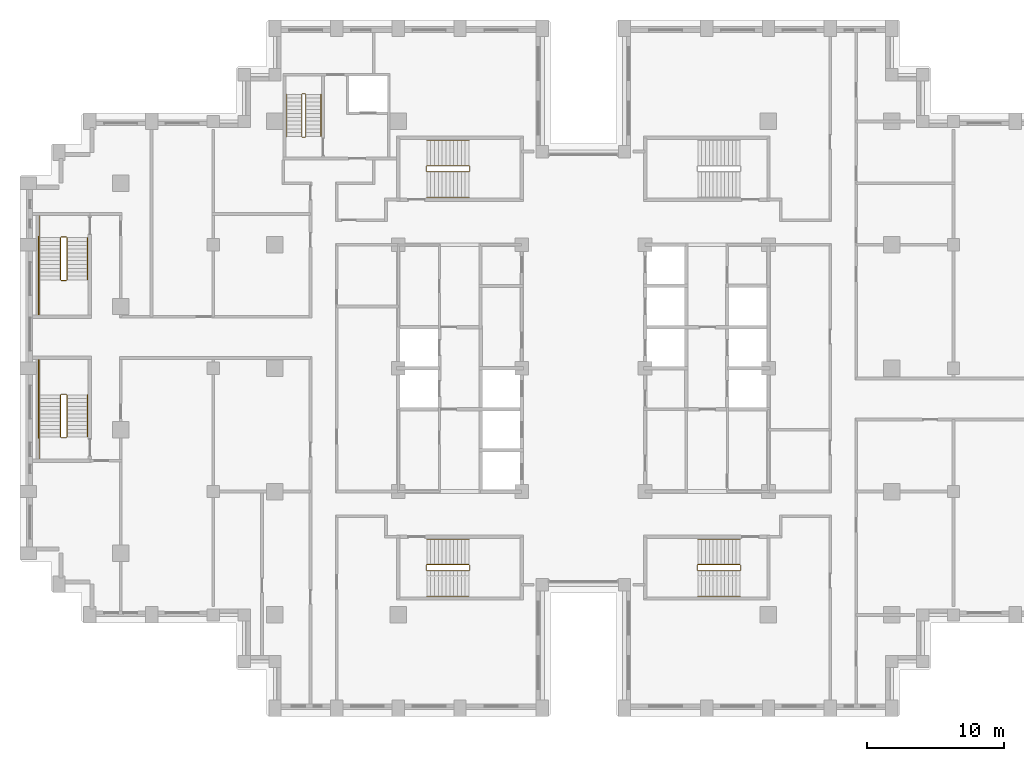
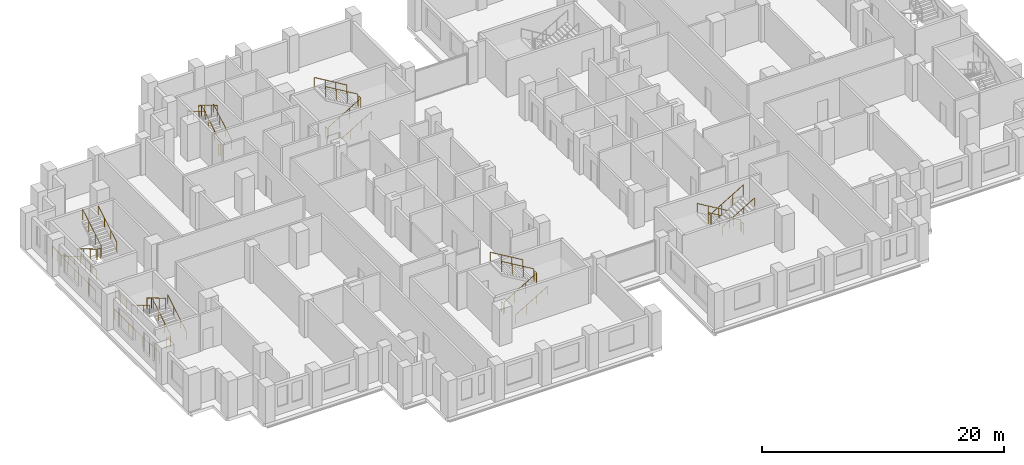
# One storey, part 14 of 15: 6 railings.
"""IFC4 building model written with IfcOpenShell, lengths in metres."""

import ifcopenshell
import ifcopenshell.guid

model = None  # the IFC model being written
_history = None  # IfcOwnerHistory: only IFC2X3 demands one
_inside = {}  # id of a spatial element -> (the spatial element, [elements in it])
_under = {}  # id of a project, library or spatial element -> (it, [spatial elements below it])
_declared = {}  # id of a project -> (the project, [libraries it declares])
_typed = {}  # id of a type object -> (the type object, [elements of that type])
_made_of = {}  # id of a material, layer set ... -> (it, [elements and type objects made of it])


def new_model(schema):
    """Start an empty IFC model of exactly this schema.

    Asked for "IFC4X3", IfcOpenShell would pick the latest addendum, in which some entities
    have other attributes; the version numbers below select the first issue.
    IFC2X3 requires an IfcOwnerHistory on every rooted entity: one is made here for all.
    """
    global model, _history
    if schema == "IFC4X3":
        model = ifcopenshell.file(schema_version=(4, 3, 0, 0))
    else:
        model = ifcopenshell.file(schema=schema)
    _inside.clear()
    _under.clear()
    _declared.clear()
    _typed.clear()
    _made_of.clear()
    _history = None
    if model.schema == "IFC2X3":
        org = make("IfcOrganization", Name="unknown")
        user = make(
            "IfcPersonAndOrganization",
            ThePerson=make("IfcPerson", FamilyName="unknown"),
            TheOrganization=org,
        )
        app = make(
            "IfcApplication",
            ApplicationDeveloper=org,
            Version="unknown",
            ApplicationFullName="unknown",
            ApplicationIdentifier="unknown",
        )
        _history = make(
            "IfcOwnerHistory",
            OwningUser=user,
            OwningApplication=app,
            ChangeAction="ADDED",
            CreationDate=0,
        )
    return model


def make(cls, **values):
    """One entity of the class cls with the attributes given. An attribute that is None is left unset."""
    return model.create_entity(
        cls, **{name: value for name, value in values.items() if value is not None}
    )


def rooted(cls, **values):
    """An entity with a GlobalId (a new one), such as an element, a storey or a relation."""
    return make(cls, GlobalId=ifcopenshell.guid.new(), OwnerHistory=_history, **values)


def si_unit(unit_type, name, prefix=None):
    """IfcSIUnit, for example si_unit("LENGTHUNIT", "METRE", prefix="MILLI")."""
    return make("IfcSIUnit", UnitType=unit_type, Prefix=prefix, Name=name)


def assignment(units):
    """IfcUnitAssignment: the units of a project."""
    return None if units is None else make("IfcUnitAssignment", Units=units)


def point(xyz):
    """IfcCartesianPoint."""
    return None if xyz is None else make("IfcCartesianPoint", Coordinates=xyz)


def direction(xyz):
    """IfcDirection."""
    return None if xyz is None else make("IfcDirection", DirectionRatios=xyz)


def frame(location, z_axis=None, x_axis=None):
    """IfcAxis2Placement3D, a coordinate frame: its origin and axes. An axis left out is left unset."""
    return make(
        "IfcAxis2Placement3D",
        Location=point(location),
        Axis=direction(z_axis),
        RefDirection=direction(x_axis),
    )


def frame_2d(location, x_axis=None):
    """IfcAxis2Placement2D, a coordinate frame in the plane: its origin and x axis."""
    return make(
        "IfcAxis2Placement2D", Location=point(location), RefDirection=direction(x_axis)
    )


def origin():
    """The frame at (0, 0, 0) with its axes left unset."""
    return frame((0.0, 0.0, 0.0))


def origin_2d():
    """The frame at (0, 0) in the plane with its x axis left unset."""
    return frame_2d((0.0, 0.0))


def place(relative_to, where):
    """IfcLocalPlacement: puts the frame where relative to a parent placement (None: the world)."""
    return make(
        "IfcLocalPlacement", PlacementRelTo=relative_to, RelativePlacement=where
    )


def context(
    kind, dimensions, precision=None, world=None, true_north=None, identifier=None
):
    """IfcGeometricRepresentationContext, for example the 3D "Model" context."""
    return make(
        "IfcGeometricRepresentationContext",
        ContextIdentifier=identifier,
        ContextType=kind,
        CoordinateSpaceDimension=dimensions,
        Precision=precision,
        WorldCoordinateSystem=world,
        TrueNorth=true_north,
    )


def subcontext(parent, identifier, kind, view, scale=None):
    """IfcGeometricRepresentationSubContext, for example "Body" below "Model"."""
    return make(
        "IfcGeometricRepresentationSubContext",
        ContextIdentifier=identifier,
        ContextType=kind,
        ParentContext=parent,
        TargetScale=scale,
        TargetView=view,
    )


def project(units=None, contexts=None):
    """IfcProject with its units and contexts."""
    return rooted(
        "IfcProject",
        Name="project",
        RepresentationContexts=contexts,
        UnitsInContext=assignment(units),
    )


def spatial(cls, under=None, at=None, **own):
    """A site, building, storey or space (cls), placed at a placement, below another one or the project."""
    s = rooted(cls, ObjectPlacement=at, **own)
    if under is not None:
        _under.setdefault(under.id(), (under, []))[1].append(s)
    return s


def profile(cls, at=None, kind="AREA", **sizes):
    """A parametric profile (cls). Its sizes go by their IFC names, for example OverallWidth=200.0."""
    return make(cls, ProfileType=kind, Position=at, **sizes)


def circle(**sizes):
    """IfcCircleProfileDef."""
    return profile("IfcCircleProfileDef", **sizes)


def extrude(swept, where, along, depth):
    """IfcExtrudedAreaSolid: the profile swept, set in the frame where, extruded along a direction by depth."""
    return make(
        "IfcExtrudedAreaSolid",
        SweptArea=swept,
        Position=where,
        ExtrudedDirection=direction(along),
        Depth=depth,
    )


def shape(context_of_items, identifier, shape_type, items):
    """IfcShapeRepresentation: the items that make up one representation, for example the "Body"."""
    return make(
        "IfcShapeRepresentation",
        ContextOfItems=context_of_items,
        RepresentationIdentifier=identifier,
        RepresentationType=shape_type,
        Items=items,
    )


def material(Name=None, Category=None):
    """IfcMaterial."""
    return make("IfcMaterial", Name=Name, Category=Category)


def made_of(thing, what):
    """Note that an element or type object is made of a material, layer set ...; save() writes the relation."""
    if what is not None:
        _made_of.setdefault(what.id(), (what, []))[1].append(thing)
    return thing


def type_object(cls, material=None, **own):
    """A type object (cls), such as IfcWallType, which elements share."""
    return made_of(rooted(cls, **own), material)


def element(
    cls,
    number,
    at=None,
    inside=None,
    cuts=None,
    type_object=None,
    material=None,
    context=None,
    identifier="Body",
    shape_type=None,
    held_by="IfcProductDefinitionShape",
    body=None,
    shapes=None,
    **own,
):
    """One element of the class cls, such as IfcWall. Its Tag is "e" and its number.

    at: its placement. inside: the storey or other place that contains it. cuts: it is an
    opening in that element (IfcRelVoidsElement). A single representation is given by context,
    identifier, shape_type and body (its items); several are given by shapes. held_by: the class
    of the entity that holds the representations. save() writes the other relations.
    """
    e = rooted(cls, Tag="e%d" % number, ObjectPlacement=at, **own)
    if body is not None:
        shapes = [shape(context, identifier, shape_type, body)]
    if shapes is not None:
        e.Representation = make(held_by, Representations=shapes)
    if inside is not None:
        _inside.setdefault(inside.id(), (inside, []))[1].append(e)
    if cuts is not None:
        rooted(
            "IfcRelVoidsElement", RelatingBuildingElement=cuts, RelatedOpeningElement=e
        )
    if type_object is not None:
        _typed.setdefault(type_object.id(), (type_object, []))[1].append(e)
    return made_of(e, material)


def aggregate(whole, parts):
    """IfcRelAggregates: a whole, such as a stair, and the parts it consists of."""
    return rooted("IfcRelAggregates", RelatingObject=whole, RelatedObjects=parts)


def save(model, path):
    """Write the relations noted so far, then the file.

    IfcRelAggregates (storeys below a building ...), IfcRelContainedInSpatialStructure (elements
    in a storey), IfcRelDefinesByType, IfcRelAssociatesMaterial and IfcRelDeclares: one each for
    every whole, place, type object, material and project.
    """
    for whole, parts in _under.values():
        aggregate(whole, parts)
    for where, things in _inside.values():
        rooted(
            "IfcRelContainedInSpatialStructure",
            RelatedElements=things,
            RelatingStructure=where,
        )
    for kind, things in _typed.values():
        rooted("IfcRelDefinesByType", RelatedObjects=things, RelatingType=kind)
    for what, things in _made_of.values():
        rooted("IfcRelAssociatesMaterial", RelatedObjects=things, RelatingMaterial=what)
    for by, libraries in _declared.values():
        rooted("IfcRelDeclares", RelatingContext=by, RelatedDefinitions=libraries)
    model.write(path)


model = new_model("IFC4")

# Units and contexts
model_context = context("Model", 3, precision=1e-05, world=origin(), true_north=direction((0.0, 1.0)))
body_context = subcontext(model_context, "Body", "Model", "MODEL_VIEW")
ifc_project = project(units=[si_unit("LENGTHUNIT", "METRE"), si_unit("AREAUNIT", "SQUARE_METRE"), si_unit("VOLUMEUNIT", "CUBIC_METRE"), si_unit("PLANEANGLEUNIT", "RADIAN"), si_unit("MASSUNIT", "GRAM", prefix="KILO")], contexts=[model_context])

# Site, building, storey
site_placement = place(None, origin())
site = spatial("IfcSite", under=ifc_project, at=site_placement, CompositionType="ELEMENT")
building_placement = place(site_placement, origin())
building = spatial("IfcBuilding", under=site, at=building_placement, Name="Corbelhall Arena Tower", CompositionType="ELEMENT")
storey_placement = place(building_placement, frame((0.0, 0.0, 100.0)))
storey = spatial("IfcBuildingStorey", under=building, at=storey_placement, Name="L17", CompositionType="ELEMENT", Elevation=100.0)

# Railings
ifc_material = material(Name="Steel ASTM A500 Gr C", Category="steel")
railing_type = type_object("IfcRailingType", Name="IN-GD-1100", PredefinedType="GUARDRAIL", material=ifc_material)
railing_1_placement = place(storey_placement, frame((-11.425048828125, 14.324951171875, 0.166748046875)))
element("IfcRailing", 1, at=railing_1_placement, inside=storey, type_object=railing_type, Name="L17 ST1 stair guards and handrails", PredefinedType="GUARDRAIL", context=body_context, shape_type="SweptSolid", body=[
    extrude(circle(Radius=0.02392578125, at=origin_2d()), frame((0.0, 0.0, 1.076171875), z_axis=(0.859308565015, 0.0, 0.511457515432), x_axis=(0.0, 1.0, 0.0)), (0.0, 0.0, 1.0), 3.58447265625),
    extrude(circle(Radius=0.02392578125, at=origin_2d()), frame((3.130126953125, 0.050048828125, 2.9091796875), z_axis=(0.0, 1.0, 0.0), x_axis=(-1.0, 0.0, 0.0)), (0.0, 0.0, 1.0), 0.35009765625),
    extrude(circle(Radius=0.02392578125, at=origin_2d()), frame((3.080078125, 0.449951171875, 3.076171875), z_axis=(-0.859308565015, 0.0, 0.511457515432), x_axis=(0.0, -1.0, 0.0)), (0.0, 0.0, 1.0), 3.58447265625),
    extrude(circle(Radius=0.02392578125, at=origin_2d()), frame((-0.050048828125, 0.050048828125, 0.9091796875), z_axis=(0.0, 1.0, 0.0), x_axis=(-1.0, 0.0, 0.0)), (0.0, 0.0, 1.0), 0.35009765625),
    extrude(circle(Radius=0.02392578125, at=origin_2d()), frame((0.0, -1.849853515625, 0.8759765625), z_axis=(0.859308565015, 0.0, 0.511457515432), x_axis=(0.0, 1.0, 0.0)), (0.0, 0.0, 1.0), 3.58447265625),
    extrude(circle(Radius=0.02392578125, at=origin_2d()), frame((3.080078125, 2.300048828125, 2.8759765625), z_axis=(-0.859308565015, 0.0, 0.511457515432), x_axis=(0.0, -1.0, 0.0)), (0.0, 0.0, 1.0), 3.58447265625),
    extrude(circle(Radius=0.02099609375, at=origin_2d()), origin(), (0.0, 0.0, 1.0), 1.052001953125),
    extrude(circle(Radius=0.02099609375, at=origin_2d()), frame((1.026611328125, 0.0, 0.611083984375)), (0.0, 0.0, 1.0), 1.052001953125),
    extrude(circle(Radius=0.02099609375, at=origin_2d()), frame((2.053466796875, 0.0, 1.22216796875)), (0.0, 0.0, 1.0), 1.052001953125),
    extrude(circle(Radius=0.02099609375, at=origin_2d()), frame((3.080078125, 0.0, 1.833251953125)), (0.0, 0.0, 1.0), 1.052001953125),
    extrude(circle(Radius=0.02099609375, at=origin_2d()), frame((3.130126953125, 0.050048828125, 1.833251953125)), (0.0, 0.0, 1.0), 1.052001953125),
    extrude(circle(Radius=0.02099609375, at=origin_2d()), frame((3.130126953125, 0.400146484375, 1.833251953125)), (0.0, 0.0, 1.0), 1.052001953125),
    extrude(circle(Radius=0.02099609375, at=origin_2d()), frame((3.080078125, 0.449951171875, 2.0)), (0.0, 0.0, 1.0), 1.052001953125),
    extrude(circle(Radius=0.02099609375, at=origin_2d()), frame((2.053466796875, 0.449951171875, 2.611083984375)), (0.0, 0.0, 1.0), 1.052001953125),
    extrude(circle(Radius=0.02099609375, at=origin_2d()), frame((1.026611328125, 0.449951171875, 3.22216796875)), (0.0, 0.0, 1.0), 1.052001953125),
    extrude(circle(Radius=0.02099609375, at=origin_2d()), frame((0.0, 0.449951171875, 3.833251953125)), (0.0, 0.0, 1.0), 1.052001953125),
    extrude(circle(Radius=0.02099609375, at=origin_2d()), frame((-0.050048828125, 0.050048828125, -0.166748046875)), (0.0, 0.0, 1.0), 1.052001953125),
    extrude(circle(Radius=0.02099609375, at=origin_2d()), frame((-0.050048828125, 0.400146484375, -0.166748046875)), (0.0, 0.0, 1.0), 1.052001953125),
    extrude(circle(Radius=0.02099609375, at=origin_2d()), frame((0.0, -1.849853515625, 0.0)), (0.0, 0.0, 1.0), 0.851806640625),
    extrude(circle(Radius=0.02099609375, at=origin_2d()), frame((1.026611328125, -1.849853515625, 0.611083984375)), (0.0, 0.0, 1.0), 0.851806640625),
    extrude(circle(Radius=0.02099609375, at=origin_2d()), frame((2.053466796875, -1.849853515625, 1.22216796875)), (0.0, 0.0, 1.0), 0.851806640625),
    extrude(circle(Radius=0.02099609375, at=origin_2d()), frame((3.080078125, -1.849853515625, 1.833251953125)), (0.0, 0.0, 1.0), 0.851806640625),
    extrude(circle(Radius=0.02099609375, at=origin_2d()), frame((3.080078125, 2.300048828125, 2.0)), (0.0, 0.0, 1.0), 0.851806640625),
    extrude(circle(Radius=0.02099609375, at=origin_2d()), frame((2.053466796875, 2.300048828125, 2.611083984375)), (0.0, 0.0, 1.0), 0.851806640625),
    extrude(circle(Radius=0.02099609375, at=origin_2d()), frame((1.026611328125, 2.300048828125, 3.22216796875)), (0.0, 0.0, 1.0), 0.851806640625),
    extrude(circle(Radius=0.02099609375, at=origin_2d()), frame((0.0, 2.300048828125, 3.833251953125)), (0.0, 0.0, 1.0), 0.851806640625),
])
railing_2_placement = place(storey_placement, frame((-11.425048828125, -14.77490234375, 0.166748046875)))
element("IfcRailing", 2, at=railing_2_placement, inside=storey, type_object=railing_type, Name="L17 ST2 stair guards and handrails", PredefinedType="GUARDRAIL", context=body_context, shape_type="SweptSolid", body=[
    extrude(circle(Radius=0.02392578125, at=origin_2d()), frame((0.0, 0.0, 1.076171875), z_axis=(0.859308565015, 0.0, 0.511457515432), x_axis=(0.0, 1.0, 0.0)), (0.0, 0.0, 1.0), 3.58447265625),
    extrude(circle(Radius=0.02392578125, at=origin_2d()), frame((3.130126953125, 0.0498046875, 2.9091796875), z_axis=(0.0, 1.0, 0.0), x_axis=(-1.0, 0.0, 0.0)), (0.0, 0.0, 1.0), 0.35009765625),
    extrude(circle(Radius=0.02392578125, at=origin_2d()), frame((3.080078125, 0.449951171875, 3.076171875), z_axis=(-0.859308565015, 0.0, 0.511457515432), x_axis=(0.0, -1.0, 0.0)), (0.0, 0.0, 1.0), 3.58447265625),
    extrude(circle(Radius=0.02392578125, at=origin_2d()), frame((-0.050048828125, 0.0498046875, 0.9091796875), z_axis=(0.0, 1.0, 0.0), x_axis=(-1.0, 0.0, 0.0)), (0.0, 0.0, 1.0), 0.35009765625),
    extrude(circle(Radius=0.02392578125, at=origin_2d()), frame((0.0, -1.85009765625, 0.8759765625), z_axis=(0.859308565015, 0.0, 0.511457515432), x_axis=(0.0, 1.0, 0.0)), (0.0, 0.0, 1.0), 3.58447265625),
    extrude(circle(Radius=0.02392578125, at=origin_2d()), frame((3.080078125, 2.2998046875, 2.8759765625), z_axis=(-0.859308565015, 0.0, 0.511457515432), x_axis=(0.0, -1.0, 0.0)), (0.0, 0.0, 1.0), 3.58447265625),
    extrude(circle(Radius=0.02099609375, at=origin_2d()), origin(), (0.0, 0.0, 1.0), 1.052001953125),
    extrude(circle(Radius=0.02099609375, at=origin_2d()), frame((1.026611328125, 0.0, 0.611083984375)), (0.0, 0.0, 1.0), 1.052001953125),
    extrude(circle(Radius=0.02099609375, at=origin_2d()), frame((2.053466796875, 0.0, 1.22216796875)), (0.0, 0.0, 1.0), 1.052001953125),
    extrude(circle(Radius=0.02099609375, at=origin_2d()), frame((3.080078125, 0.0, 1.833251953125)), (0.0, 0.0, 1.0), 1.052001953125),
    extrude(circle(Radius=0.02099609375, at=origin_2d()), frame((3.130126953125, 0.0498046875, 1.833251953125)), (0.0, 0.0, 1.0), 1.052001953125),
    extrude(circle(Radius=0.02099609375, at=origin_2d()), frame((3.130126953125, 0.39990234375, 1.833251953125)), (0.0, 0.0, 1.0), 1.052001953125),
    extrude(circle(Radius=0.02099609375, at=origin_2d()), frame((3.080078125, 0.449951171875, 2.0)), (0.0, 0.0, 1.0), 1.052001953125),
    extrude(circle(Radius=0.02099609375, at=origin_2d()), frame((2.053466796875, 0.449951171875, 2.611083984375)), (0.0, 0.0, 1.0), 1.052001953125),
    extrude(circle(Radius=0.02099609375, at=origin_2d()), frame((1.026611328125, 0.449951171875, 3.22216796875)), (0.0, 0.0, 1.0), 1.052001953125),
    extrude(circle(Radius=0.02099609375, at=origin_2d()), frame((0.0, 0.449951171875, 3.833251953125)), (0.0, 0.0, 1.0), 1.052001953125),
    extrude(circle(Radius=0.02099609375, at=origin_2d()), frame((-0.050048828125, 0.0498046875, -0.166748046875)), (0.0, 0.0, 1.0), 1.052001953125),
    extrude(circle(Radius=0.02099609375, at=origin_2d()), frame((-0.050048828125, 0.39990234375, -0.166748046875)), (0.0, 0.0, 1.0), 1.052001953125),
    extrude(circle(Radius=0.02099609375, at=origin_2d()), frame((0.0, -1.85009765625, 0.0)), (0.0, 0.0, 1.0), 0.851806640625),
    extrude(circle(Radius=0.02099609375, at=origin_2d()), frame((1.026611328125, -1.85009765625, 0.611083984375)), (0.0, 0.0, 1.0), 0.851806640625),
    extrude(circle(Radius=0.02099609375, at=origin_2d()), frame((2.053466796875, -1.85009765625, 1.22216796875)), (0.0, 0.0, 1.0), 0.851806640625),
    extrude(circle(Radius=0.02099609375, at=origin_2d()), frame((3.080078125, -1.85009765625, 1.833251953125)), (0.0, 0.0, 1.0), 0.851806640625),
    extrude(circle(Radius=0.02099609375, at=origin_2d()), frame((3.080078125, 2.2998046875, 2.0)), (0.0, 0.0, 1.0), 0.851806640625),
    extrude(circle(Radius=0.02099609375, at=origin_2d()), frame((2.053466796875, 2.2998046875, 2.611083984375)), (0.0, 0.0, 1.0), 0.851806640625),
    extrude(circle(Radius=0.02099609375, at=origin_2d()), frame((1.026611328125, 2.2998046875, 3.22216796875)), (0.0, 0.0, 1.0), 0.851806640625),
    extrude(circle(Radius=0.02099609375, at=origin_2d()), frame((0.0, 2.2998046875, 3.833251953125)), (0.0, 0.0, 1.0), 0.851806640625),
])
railing_3_placement = place(storey_placement, frame((11.425048828125, -14.324951171875, 0.166748046875)))
element("IfcRailing", 3, at=railing_3_placement, inside=storey, type_object=railing_type, Name="L17 ST4 stair guards and handrails", PredefinedType="GUARDRAIL", context=body_context, shape_type="SweptSolid", body=[
    extrude(circle(Radius=0.02392578125, at=origin_2d()), frame((0.0, 0.0, 1.076171875), z_axis=(-0.859308565015, 0.0, 0.511457515432), x_axis=(0.0, -1.0, 0.0)), (0.0, 0.0, 1.0), 3.58447265625),
    extrude(circle(Radius=0.02392578125, at=origin_2d()), frame((-3.130126953125, -0.050048828125, 2.9091796875), z_axis=(0.0, -1.0, 0.0), x_axis=(1.0, 0.0, 0.0)), (0.0, 0.0, 1.0), 0.35009765625),
    extrude(circle(Radius=0.02392578125, at=origin_2d()), frame((-3.080078125, -0.449951171875, 3.076171875), z_axis=(0.859308565015, 0.0, 0.511457515432), x_axis=(0.0, 1.0, 0.0)), (0.0, 0.0, 1.0), 3.58447265625),
    extrude(circle(Radius=0.02392578125, at=origin_2d()), frame((0.050048828125, -0.050048828125, 0.9091796875), z_axis=(0.0, -1.0, 0.0), x_axis=(1.0, 0.0, 0.0)), (0.0, 0.0, 1.0), 0.35009765625),
    extrude(circle(Radius=0.02392578125, at=origin_2d()), frame((0.0, 1.849853515625, 0.8759765625), z_axis=(-0.859308565015, 0.0, 0.511457515432), x_axis=(0.0, -1.0, 0.0)), (0.0, 0.0, 1.0), 3.58447265625),
    extrude(circle(Radius=0.02392578125, at=origin_2d()), frame((-3.080078125, -2.300048828125, 2.8759765625), z_axis=(0.859308565015, 0.0, 0.511457515432), x_axis=(0.0, 1.0, 0.0)), (0.0, 0.0, 1.0), 3.58447265625),
    extrude(circle(Radius=0.02099609375, at=origin_2d()), origin(), (0.0, 0.0, 1.0), 1.052001953125),
    extrude(circle(Radius=0.02099609375, at=origin_2d()), frame((-1.026611328125, 0.0, 0.611083984375)), (0.0, 0.0, 1.0), 1.052001953125),
    extrude(circle(Radius=0.02099609375, at=origin_2d()), frame((-2.053466796875, 0.0, 1.22216796875)), (0.0, 0.0, 1.0), 1.052001953125),
    extrude(circle(Radius=0.02099609375, at=origin_2d()), frame((-3.080078125, 0.0, 1.833251953125)), (0.0, 0.0, 1.0), 1.052001953125),
    extrude(circle(Radius=0.02099609375, at=origin_2d()), frame((-3.130126953125, -0.050048828125, 1.833251953125)), (0.0, 0.0, 1.0), 1.052001953125),
    extrude(circle(Radius=0.02099609375, at=origin_2d()), frame((-3.130126953125, -0.400146484375, 1.833251953125)), (0.0, 0.0, 1.0), 1.052001953125),
    extrude(circle(Radius=0.02099609375, at=origin_2d()), frame((-3.080078125, -0.449951171875, 2.0)), (0.0, 0.0, 1.0), 1.052001953125),
    extrude(circle(Radius=0.02099609375, at=origin_2d()), frame((-2.053466796875, -0.449951171875, 2.611083984375)), (0.0, 0.0, 1.0), 1.052001953125),
    extrude(circle(Radius=0.02099609375, at=origin_2d()), frame((-1.026611328125, -0.449951171875, 3.22216796875)), (0.0, 0.0, 1.0), 1.052001953125),
    extrude(circle(Radius=0.02099609375, at=origin_2d()), frame((0.0, -0.449951171875, 3.833251953125)), (0.0, 0.0, 1.0), 1.052001953125),
    extrude(circle(Radius=0.02099609375, at=origin_2d()), frame((0.050048828125, -0.050048828125, -0.166748046875)), (0.0, 0.0, 1.0), 1.052001953125),
    extrude(circle(Radius=0.02099609375, at=origin_2d()), frame((0.050048828125, -0.400146484375, -0.166748046875)), (0.0, 0.0, 1.0), 1.052001953125),
    extrude(circle(Radius=0.02099609375, at=origin_2d()), frame((0.0, 1.849853515625, 0.0)), (0.0, 0.0, 1.0), 0.851806640625),
    extrude(circle(Radius=0.02099609375, at=origin_2d()), frame((-1.026611328125, 1.849853515625, 0.611083984375)), (0.0, 0.0, 1.0), 0.851806640625),
    extrude(circle(Radius=0.02099609375, at=origin_2d()), frame((-2.053466796875, 1.849853515625, 1.22216796875)), (0.0, 0.0, 1.0), 0.851806640625),
    extrude(circle(Radius=0.02099609375, at=origin_2d()), frame((-3.080078125, 1.849853515625, 1.833251953125)), (0.0, 0.0, 1.0), 0.851806640625),
    extrude(circle(Radius=0.02099609375, at=origin_2d()), frame((-3.080078125, -2.300048828125, 2.0)), (0.0, 0.0, 1.0), 0.851806640625),
    extrude(circle(Radius=0.02099609375, at=origin_2d()), frame((-2.053466796875, -2.300048828125, 2.611083984375)), (0.0, 0.0, 1.0), 0.851806640625),
    extrude(circle(Radius=0.02099609375, at=origin_2d()), frame((-1.026611328125, -2.300048828125, 3.22216796875)), (0.0, 0.0, 1.0), 0.851806640625),
    extrude(circle(Radius=0.02099609375, at=origin_2d()), frame((0.0, -2.300048828125, 3.833251953125)), (0.0, 0.0, 1.0), 0.851806640625),
])
railing_4_placement = place(storey_placement, frame((-38.14990234375, 9.52490234375, 0.166748046875)))
element("IfcRailing", 4, at=railing_4_placement, inside=storey, type_object=railing_type, Name="L17 SC1 stair guards and handrails", PredefinedType="GUARDRAIL", context=body_context, shape_type="SweptSolid", body=[
    extrude(circle(Radius=0.02392578125, at=origin_2d()), frame((0.0, 0.0, 1.076171875), z_axis=(0.0, -0.859290745958, 0.51148745235), x_axis=(1.0, 0.0, 0.0)), (0.0, 0.0, 1.0), 3.584228515625),
    extrude(circle(Radius=0.02392578125, at=origin_2d()), frame((0.0498046875, -3.1298828125, 2.9091796875), z_axis=(1.0, 0.0, 0.0), x_axis=(0.0, 1.0, 0.0)), (0.0, 0.0, 1.0), 0.375),
    extrude(circle(Radius=0.02392578125, at=origin_2d()), frame((-1.5, -3.079833984375, 2.9091796875), z_axis=(0.0, -1.0, 0.0), x_axis=(1.0, 0.0, 0.0)), (0.0, 0.0, 1.0), 2.570068359375),
    extrude(circle(Radius=0.02392578125, at=origin_2d()), frame((0.474853515625, -3.079833984375, 3.076171875), z_axis=(0.0, 0.859290745958, 0.51148745235), x_axis=(-1.0, 0.0, 0.0)), (0.0, 0.0, 1.0), 3.584228515625),
    extrude(circle(Radius=0.02392578125, at=origin_2d()), frame((0.0498046875, 0.050048828125, 0.9091796875), z_axis=(1.0, 0.0, 0.0), x_axis=(0.0, 1.0, 0.0)), (0.0, 0.0, 1.0), 0.375),
    extrude(circle(Radius=0.02392578125, at=origin_2d()), frame((-1.5, 1.60009765625, 0.9091796875), z_axis=(0.0, -1.0, 0.0), x_axis=(1.0, 0.0, 0.0)), (0.0, 0.0, 1.0), 1.60009765625),
    extrude(circle(Radius=0.02392578125, at=origin_2d()), frame((-1.60009765625, 0.10009765625, 0.9091796875), z_axis=(0.0, -1.0, 0.0), x_axis=(1.0, 0.0, 0.0)), (0.0, 0.0, 1.0), 5.85009765625),
    extrude(circle(Radius=0.02392578125, at=origin_2d()), frame((-1.5, 0.0, 0.8759765625), z_axis=(0.0, -0.859290745958, 0.51148745235), x_axis=(1.0, 0.0, 0.0)), (0.0, 0.0, 1.0), 3.584228515625),
    extrude(circle(Radius=0.02392578125, at=origin_2d()), frame((1.974853515625, -3.079833984375, 2.8759765625), z_axis=(0.0, 0.859290745958, 0.51148745235), x_axis=(-1.0, 0.0, 0.0)), (0.0, 0.0, 1.0), 3.584228515625),
    extrude(circle(Radius=0.02099609375, at=origin_2d()), origin(), (0.0, 0.0, 1.0), 1.052001953125),
    extrude(circle(Radius=0.02099609375, at=origin_2d()), frame((0.0, -1.026611328125, 0.611083984375)), (0.0, 0.0, 1.0), 1.052001953125),
    extrude(circle(Radius=0.02099609375, at=origin_2d()), frame((0.0, -2.05322265625, 1.22216796875)), (0.0, 0.0, 1.0), 1.052001953125),
    extrude(circle(Radius=0.02099609375, at=origin_2d()), frame((0.0, -3.079833984375, 1.833251953125)), (0.0, 0.0, 1.0), 1.052001953125),
    extrude(circle(Radius=0.02099609375, at=origin_2d()), frame((0.0498046875, -3.1298828125, 1.833251953125)), (0.0, 0.0, 1.0), 1.052001953125),
    extrude(circle(Radius=0.02099609375, at=origin_2d()), frame((0.4248046875, -3.1298828125, 1.833251953125)), (0.0, 0.0, 1.0), 1.052001953125),
    extrude(circle(Radius=0.02099609375, at=origin_2d()), frame((-1.5, -3.079833984375, 1.833251953125)), (0.0, 0.0, 1.0), 1.052001953125),
    extrude(circle(Radius=0.02099609375, at=origin_2d()), frame((-1.5, -3.9365234375, 1.833251953125)), (0.0, 0.0, 1.0), 1.052001953125),
    extrude(circle(Radius=0.02099609375, at=origin_2d()), frame((-1.5, -4.793212890625, 1.833251953125)), (0.0, 0.0, 1.0), 1.052001953125),
    extrude(circle(Radius=0.02099609375, at=origin_2d()), frame((-1.5, -5.64990234375, 1.833251953125)), (0.0, 0.0, 1.0), 1.052001953125),
    extrude(circle(Radius=0.02099609375, at=origin_2d()), frame((0.474853515625, -3.079833984375, 2.0)), (0.0, 0.0, 1.0), 1.052001953125),
    extrude(circle(Radius=0.02099609375, at=origin_2d()), frame((0.474853515625, -2.05322265625, 2.611083984375)), (0.0, 0.0, 1.0), 1.052001953125),
    extrude(circle(Radius=0.02099609375, at=origin_2d()), frame((0.474853515625, -1.026611328125, 3.22216796875)), (0.0, 0.0, 1.0), 1.052001953125),
    extrude(circle(Radius=0.02099609375, at=origin_2d()), frame((0.474853515625, 0.0, 3.833251953125)), (0.0, 0.0, 1.0), 1.052001953125),
    extrude(circle(Radius=0.02099609375, at=origin_2d()), frame((0.0498046875, 0.050048828125, -0.166748046875)), (0.0, 0.0, 1.0), 1.052001953125),
    extrude(circle(Radius=0.02099609375, at=origin_2d()), frame((0.4248046875, 0.050048828125, -0.166748046875)), (0.0, 0.0, 1.0), 1.052001953125),
    extrude(circle(Radius=0.02099609375, at=origin_2d()), frame((-1.5, 1.60009765625, -0.166748046875)), (0.0, 0.0, 1.0), 1.052001953125),
    extrude(circle(Radius=0.02099609375, at=origin_2d()), frame((-1.5, 0.800048828125, -0.166748046875)), (0.0, 0.0, 1.0), 1.052001953125),
    extrude(circle(Radius=0.02099609375, at=origin_2d()), frame((-1.5, 0.0, -0.166748046875)), (0.0, 0.0, 1.0), 1.052001953125),
    extrude(circle(Radius=0.02099609375, at=origin_2d()), frame((-1.60009765625, 0.10009765625, -0.166748046875)), (0.0, 0.0, 1.0), 1.052001953125),
    extrude(circle(Radius=0.02099609375, at=origin_2d()), frame((-1.60009765625, -1.06982421875, -0.166748046875)), (0.0, 0.0, 1.0), 1.052001953125),
    extrude(circle(Radius=0.02099609375, at=origin_2d()), frame((-1.60009765625, -2.239990234375, -0.166748046875)), (0.0, 0.0, 1.0), 1.052001953125),
    extrude(circle(Radius=0.02099609375, at=origin_2d()), frame((-1.60009765625, -3.409912109375, -0.166748046875)), (0.0, 0.0, 1.0), 1.052001953125),
    extrude(circle(Radius=0.02099609375, at=origin_2d()), frame((-1.60009765625, -4.580078125, -0.166748046875)), (0.0, 0.0, 1.0), 1.052001953125),
    extrude(circle(Radius=0.02099609375, at=origin_2d()), frame((-1.60009765625, -5.75, -0.166748046875)), (0.0, 0.0, 1.0), 1.052001953125),
    extrude(circle(Radius=0.02099609375, at=origin_2d()), frame((-1.5, 0.0, 0.0)), (0.0, 0.0, 1.0), 0.851806640625),
    extrude(circle(Radius=0.02099609375, at=origin_2d()), frame((-1.5, -1.026611328125, 0.611083984375)), (0.0, 0.0, 1.0), 0.851806640625),
    extrude(circle(Radius=0.02099609375, at=origin_2d()), frame((-1.5, -2.05322265625, 1.22216796875)), (0.0, 0.0, 1.0), 0.851806640625),
    extrude(circle(Radius=0.02099609375, at=origin_2d()), frame((1.974853515625, -3.079833984375, 2.0)), (0.0, 0.0, 1.0), 0.851806640625),
    extrude(circle(Radius=0.02099609375, at=origin_2d()), frame((1.974853515625, -2.05322265625, 2.611083984375)), (0.0, 0.0, 1.0), 0.851806640625),
    extrude(circle(Radius=0.02099609375, at=origin_2d()), frame((1.974853515625, -1.026611328125, 3.22216796875)), (0.0, 0.0, 1.0), 0.851806640625),
    extrude(circle(Radius=0.02099609375, at=origin_2d()), frame((1.974853515625, 0.0, 3.833251953125)), (0.0, 0.0, 1.0), 0.851806640625),
])
railing_5_placement = place(storey_placement, frame((-37.675048828125, -5.02490234375, 0.166748046875)))
element("IfcRailing", 5, at=railing_5_placement, inside=storey, type_object=railing_type, Name="L17 SC2 stair guards and handrails", PredefinedType="GUARDRAIL", context=body_context, shape_type="SweptSolid", body=[
    extrude(circle(Radius=0.02392578125, at=origin_2d()), frame((0.0, 0.0, 1.076171875), z_axis=(0.0, 0.859290745958, 0.51148745235), x_axis=(-1.0, 0.0, 0.0)), (0.0, 0.0, 1.0), 3.584228515625),
    extrude(circle(Radius=0.02392578125, at=origin_2d()), frame((-0.050048828125, 3.1298828125, 2.9091796875), z_axis=(-1.0, 0.0, 0.0), x_axis=(0.0, -1.0, 0.0)), (0.0, 0.0, 1.0), 0.375),
    extrude(circle(Radius=0.02392578125, at=origin_2d()), frame((-1.974853515625, 3.079833984375, 2.9091796875), z_axis=(0.0, 1.0, 0.0), x_axis=(-1.0, 0.0, 0.0)), (0.0, 0.0, 1.0), 2.570068359375),
    extrude(circle(Radius=0.02392578125, at=origin_2d()), frame((-0.474853515625, 3.079833984375, 3.076171875), z_axis=(0.0, -0.859290745958, 0.51148745235), x_axis=(1.0, 0.0, 0.0)), (0.0, 0.0, 1.0), 3.584228515625),
    extrude(circle(Radius=0.02392578125, at=origin_2d()), frame((-0.050048828125, -0.050048828125, 0.9091796875), z_axis=(-1.0, 0.0, 0.0), x_axis=(0.0, -1.0, 0.0)), (0.0, 0.0, 1.0), 0.375),
    extrude(circle(Radius=0.02392578125, at=origin_2d()), frame((-1.974853515625, -1.60009765625, 0.9091796875), z_axis=(0.0, 1.0, 0.0), x_axis=(-1.0, 0.0, 0.0)), (0.0, 0.0, 1.0), 1.60009765625),
    extrude(circle(Radius=0.02392578125, at=origin_2d()), frame((-2.074951171875, -0.10009765625, 0.9091796875), z_axis=(0.0, 1.0, 0.0), x_axis=(-1.0, 0.0, 0.0)), (0.0, 0.0, 1.0), 5.85009765625),
    extrude(circle(Radius=0.02392578125, at=origin_2d()), frame((1.5, 0.0, 0.8759765625), z_axis=(0.0, 0.859290745958, 0.51148745235), x_axis=(-1.0, 0.0, 0.0)), (0.0, 0.0, 1.0), 3.584228515625),
    extrude(circle(Radius=0.02392578125, at=origin_2d()), frame((-1.974853515625, 3.079833984375, 2.8759765625), z_axis=(0.0, -0.859290745958, 0.51148745235), x_axis=(1.0, 0.0, 0.0)), (0.0, 0.0, 1.0), 3.584228515625),
    extrude(circle(Radius=0.02099609375, at=origin_2d()), origin(), (0.0, 0.0, 1.0), 1.052001953125),
    extrude(circle(Radius=0.02099609375, at=origin_2d()), frame((0.0, 1.026611328125, 0.611083984375)), (0.0, 0.0, 1.0), 1.052001953125),
    extrude(circle(Radius=0.02099609375, at=origin_2d()), frame((0.0, 2.05322265625, 1.22216796875)), (0.0, 0.0, 1.0), 1.052001953125),
    extrude(circle(Radius=0.02099609375, at=origin_2d()), frame((0.0, 3.079833984375, 1.833251953125)), (0.0, 0.0, 1.0), 1.052001953125),
    extrude(circle(Radius=0.02099609375, at=origin_2d()), frame((-0.050048828125, 3.1298828125, 1.833251953125)), (0.0, 0.0, 1.0), 1.052001953125),
    extrude(circle(Radius=0.02099609375, at=origin_2d()), frame((-0.425048828125, 3.1298828125, 1.833251953125)), (0.0, 0.0, 1.0), 1.052001953125),
    extrude(circle(Radius=0.02099609375, at=origin_2d()), frame((-1.974853515625, 3.079833984375, 1.833251953125)), (0.0, 0.0, 1.0), 1.052001953125),
    extrude(circle(Radius=0.02099609375, at=origin_2d()), frame((-1.974853515625, 3.9365234375, 1.833251953125)), (0.0, 0.0, 1.0), 1.052001953125),
    extrude(circle(Radius=0.02099609375, at=origin_2d()), frame((-1.974853515625, 4.793212890625, 1.833251953125)), (0.0, 0.0, 1.0), 1.052001953125),
    extrude(circle(Radius=0.02099609375, at=origin_2d()), frame((-1.974853515625, 5.64990234375, 1.833251953125)), (0.0, 0.0, 1.0), 1.052001953125),
    extrude(circle(Radius=0.02099609375, at=origin_2d()), frame((-0.474853515625, 3.079833984375, 2.0)), (0.0, 0.0, 1.0), 1.052001953125),
    extrude(circle(Radius=0.02099609375, at=origin_2d()), frame((-0.474853515625, 2.05322265625, 2.611083984375)), (0.0, 0.0, 1.0), 1.052001953125),
    extrude(circle(Radius=0.02099609375, at=origin_2d()), frame((-0.474853515625, 1.026611328125, 3.22216796875)), (0.0, 0.0, 1.0), 1.052001953125),
    extrude(circle(Radius=0.02099609375, at=origin_2d()), frame((-0.474853515625, 0.0, 3.833251953125)), (0.0, 0.0, 1.0), 1.052001953125),
    extrude(circle(Radius=0.02099609375, at=origin_2d()), frame((-0.050048828125, -0.050048828125, -0.166748046875)), (0.0, 0.0, 1.0), 1.052001953125),
    extrude(circle(Radius=0.02099609375, at=origin_2d()), frame((-0.425048828125, -0.050048828125, -0.166748046875)), (0.0, 0.0, 1.0), 1.052001953125),
    extrude(circle(Radius=0.02099609375, at=origin_2d()), frame((-1.974853515625, -1.60009765625, -0.166748046875)), (0.0, 0.0, 1.0), 1.052001953125),
    extrude(circle(Radius=0.02099609375, at=origin_2d()), frame((-1.974853515625, -0.800048828125, -0.166748046875)), (0.0, 0.0, 1.0), 1.052001953125),
    extrude(circle(Radius=0.02099609375, at=origin_2d()), frame((-1.974853515625, 0.0, -0.166748046875)), (0.0, 0.0, 1.0), 1.052001953125),
    extrude(circle(Radius=0.02099609375, at=origin_2d()), frame((-2.074951171875, -0.10009765625, -0.166748046875)), (0.0, 0.0, 1.0), 1.052001953125),
    extrude(circle(Radius=0.02099609375, at=origin_2d()), frame((-2.074951171875, 1.06982421875, -0.166748046875)), (0.0, 0.0, 1.0), 1.052001953125),
    extrude(circle(Radius=0.02099609375, at=origin_2d()), frame((-2.074951171875, 2.239990234375, -0.166748046875)), (0.0, 0.0, 1.0), 1.052001953125),
    extrude(circle(Radius=0.02099609375, at=origin_2d()), frame((-2.074951171875, 3.409912109375, -0.166748046875)), (0.0, 0.0, 1.0), 1.052001953125),
    extrude(circle(Radius=0.02099609375, at=origin_2d()), frame((-2.074951171875, 4.580078125, -0.166748046875)), (0.0, 0.0, 1.0), 1.052001953125),
    extrude(circle(Radius=0.02099609375, at=origin_2d()), frame((-2.074951171875, 5.75, -0.166748046875)), (0.0, 0.0, 1.0), 1.052001953125),
    extrude(circle(Radius=0.02099609375, at=origin_2d()), frame((1.5, 0.0, 0.0)), (0.0, 0.0, 1.0), 0.851806640625),
    extrude(circle(Radius=0.02099609375, at=origin_2d()), frame((1.5, 1.026611328125, 0.611083984375)), (0.0, 0.0, 1.0), 0.851806640625),
    extrude(circle(Radius=0.02099609375, at=origin_2d()), frame((1.5, 2.05322265625, 1.22216796875)), (0.0, 0.0, 1.0), 0.851806640625),
    extrude(circle(Radius=0.02099609375, at=origin_2d()), frame((1.5, 3.079833984375, 1.833251953125)), (0.0, 0.0, 1.0), 0.851806640625),
    extrude(circle(Radius=0.02099609375, at=origin_2d()), frame((-1.974853515625, 3.079833984375, 2.0)), (0.0, 0.0, 1.0), 0.851806640625),
    extrude(circle(Radius=0.02099609375, at=origin_2d()), frame((-1.974853515625, 2.05322265625, 2.611083984375)), (0.0, 0.0, 1.0), 0.851806640625),
    extrude(circle(Radius=0.02099609375, at=origin_2d()), frame((-1.974853515625, 1.026611328125, 3.22216796875)), (0.0, 0.0, 1.0), 0.851806640625),
    extrude(circle(Radius=0.02099609375, at=origin_2d()), frame((-1.974853515625, 0.0, 3.833251953125)), (0.0, 0.0, 1.0), 0.851806640625),
])
railing_6_placement = place(storey_placement, frame((-20.2451171875, 16.89990234375, 0.166748046875)))
element("IfcRailing", 6, at=railing_6_placement, inside=storey, type_object=railing_type, Name="L17 ST5 stair guards and handrails", PredefinedType="GUARDRAIL", context=body_context, shape_type="SweptSolid", body=[
    extrude(circle(Radius=0.02392578125, at=origin_2d()), frame((0.0, 0.0, 1.076171875), z_axis=(0.0, 0.859308565015, 0.511457515432), x_axis=(-1.0, 0.0, 0.0)), (0.0, 0.0, 1.0), 3.58447265625),
    extrude(circle(Radius=0.02392578125, at=origin_2d()), frame((-0.0498046875, 3.130126953125, 2.9091796875), z_axis=(-1.0, 0.0, 0.0), x_axis=(0.0, -1.0, 0.0)), (0.0, 0.0, 1.0), 0.2001953125),
    extrude(circle(Radius=0.02392578125, at=origin_2d()), frame((-0.2998046875, 3.080078125, 3.076171875), z_axis=(0.0, -0.859308565015, 0.511457515432), x_axis=(1.0, 0.0, 0.0)), (0.0, 0.0, 1.0), 3.58447265625),
    extrude(circle(Radius=0.02392578125, at=origin_2d()), frame((-0.0498046875, -0.0498046875, 0.9091796875), z_axis=(-1.0, 0.0, 0.0), x_axis=(0.0, -1.0, 0.0)), (0.0, 0.0, 1.0), 0.2001953125),
    extrude(circle(Radius=0.02392578125, at=origin_2d()), frame((1.10009765625, 0.0, 0.8759765625), z_axis=(0.0, 0.859308565015, 0.511457515432), x_axis=(-1.0, 0.0, 0.0)), (0.0, 0.0, 1.0), 3.58447265625),
    extrude(circle(Radius=0.02392578125, at=origin_2d()), frame((-1.39990234375, 3.080078125, 2.8759765625), z_axis=(0.0, -0.859308565015, 0.511457515432), x_axis=(1.0, 0.0, 0.0)), (0.0, 0.0, 1.0), 3.58447265625),
    extrude(circle(Radius=0.02099609375, at=origin_2d()), origin(), (0.0, 0.0, 1.0), 1.052001953125),
    extrude(circle(Radius=0.02099609375, at=origin_2d()), frame((0.0, 1.026611328125, 0.611083984375)), (0.0, 0.0, 1.0), 1.052001953125),
    extrude(circle(Radius=0.02099609375, at=origin_2d()), frame((0.0, 2.053466796875, 1.22216796875)), (0.0, 0.0, 1.0), 1.052001953125),
    extrude(circle(Radius=0.02099609375, at=origin_2d()), frame((0.0, 3.080078125, 1.833251953125)), (0.0, 0.0, 1.0), 1.052001953125),
    extrude(circle(Radius=0.02099609375, at=origin_2d()), frame((-0.0498046875, 3.130126953125, 1.833251953125)), (0.0, 0.0, 1.0), 1.052001953125),
    extrude(circle(Radius=0.02099609375, at=origin_2d()), frame((-0.25, 3.130126953125, 1.833251953125)), (0.0, 0.0, 1.0), 1.052001953125),
    extrude(circle(Radius=0.02099609375, at=origin_2d()), frame((-0.2998046875, 3.080078125, 2.0)), (0.0, 0.0, 1.0), 1.052001953125),
    extrude(circle(Radius=0.02099609375, at=origin_2d()), frame((-0.2998046875, 2.053466796875, 2.611083984375)), (0.0, 0.0, 1.0), 1.052001953125),
    extrude(circle(Radius=0.02099609375, at=origin_2d()), frame((-0.2998046875, 1.026611328125, 3.22216796875)), (0.0, 0.0, 1.0), 1.052001953125),
    extrude(circle(Radius=0.02099609375, at=origin_2d()), frame((-0.2998046875, 0.0, 3.833251953125)), (0.0, 0.0, 1.0), 1.052001953125),
    extrude(circle(Radius=0.02099609375, at=origin_2d()), frame((-0.0498046875, -0.0498046875, -0.166748046875)), (0.0, 0.0, 1.0), 1.052001953125),
    extrude(circle(Radius=0.02099609375, at=origin_2d()), frame((-0.25, -0.0498046875, -0.166748046875)), (0.0, 0.0, 1.0), 1.052001953125),
    extrude(circle(Radius=0.02099609375, at=origin_2d()), frame((1.10009765625, 0.0, 0.0)), (0.0, 0.0, 1.0), 0.851806640625),
    extrude(circle(Radius=0.02099609375, at=origin_2d()), frame((1.10009765625, 1.026611328125, 0.611083984375)), (0.0, 0.0, 1.0), 0.851806640625),
    extrude(circle(Radius=0.02099609375, at=origin_2d()), frame((1.10009765625, 2.053466796875, 1.22216796875)), (0.0, 0.0, 1.0), 0.851806640625),
    extrude(circle(Radius=0.02099609375, at=origin_2d()), frame((1.10009765625, 3.080078125, 1.833251953125)), (0.0, 0.0, 1.0), 0.851806640625),
    extrude(circle(Radius=0.02099609375, at=origin_2d()), frame((-1.39990234375, 3.080078125, 2.0)), (0.0, 0.0, 1.0), 0.851806640625),
    extrude(circle(Radius=0.02099609375, at=origin_2d()), frame((-1.39990234375, 2.053466796875, 2.611083984375)), (0.0, 0.0, 1.0), 0.851806640625),
    extrude(circle(Radius=0.02099609375, at=origin_2d()), frame((-1.39990234375, 1.026611328125, 3.22216796875)), (0.0, 0.0, 1.0), 0.851806640625),
    extrude(circle(Radius=0.02099609375, at=origin_2d()), frame((-1.39990234375, 0.0, 3.833251953125)), (0.0, 0.0, 1.0), 0.851806640625),
])

save(model, "model.ifc")
